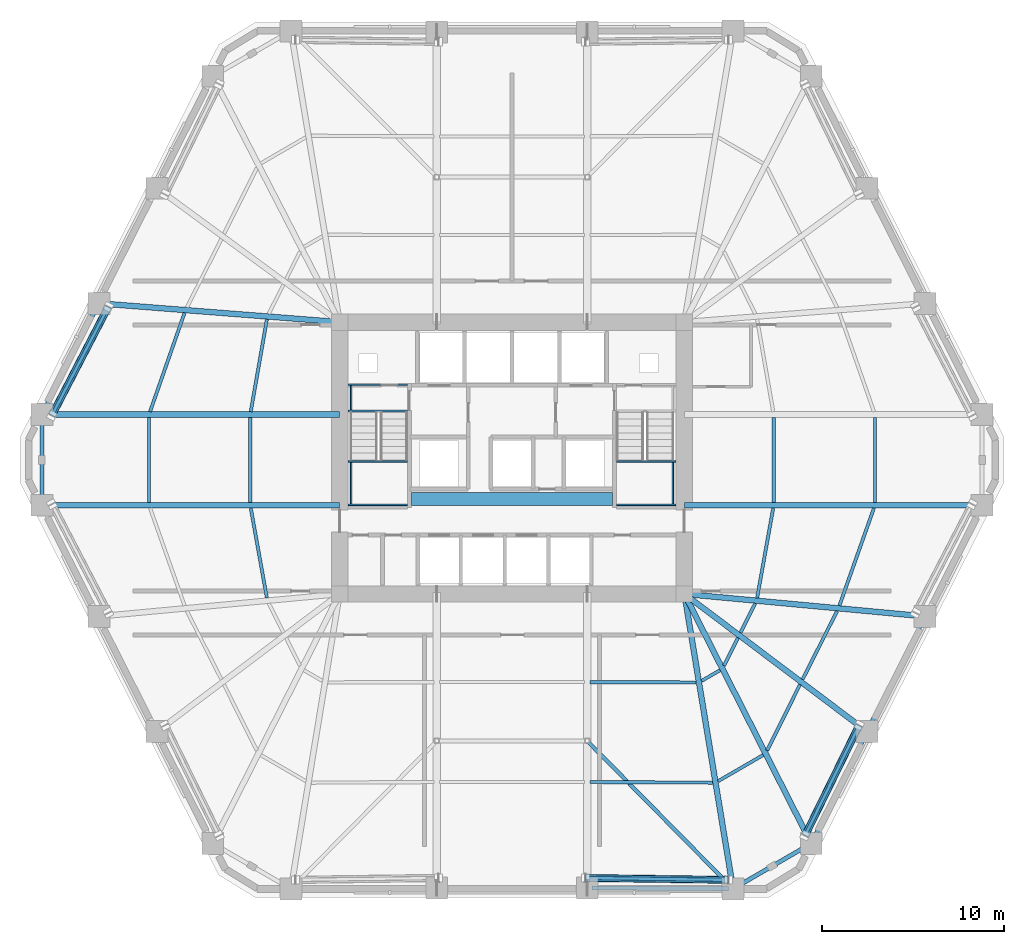
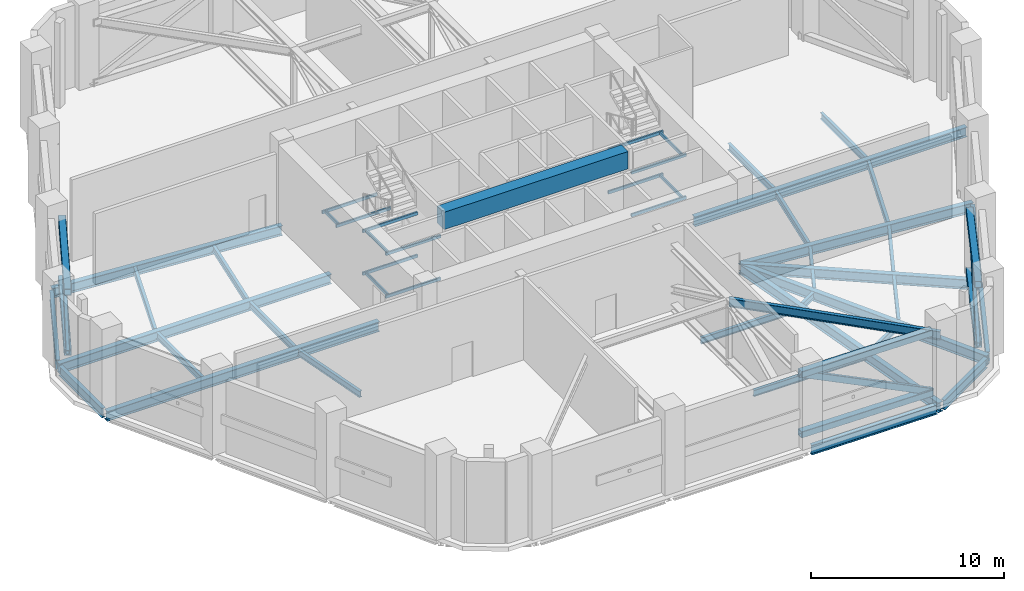
# One storey, part 3 of 19: 48 beams, 9 members.
"""IFC4 building model written with IfcOpenShell, lengths in metres."""

from ifc_helpers import new_model, si_unit, direction, frame, origin, origin_2d, place, context, subcontext, project, spatial, rectangle, hollow_rectangle, i_section, extrude, material, material_profile, profile_set, type_object, element, save


model = new_model("IFC4")

# Units and contexts
model_context = context("Model", 3, precision=1e-05, world=origin(), true_north=direction((0.0, 1.0)))
body_context = subcontext(model_context, "Body", "Model", "MODEL_VIEW")
ifc_project = project(units=[si_unit("LENGTHUNIT", "METRE"), si_unit("AREAUNIT", "SQUARE_METRE"), si_unit("VOLUMEUNIT", "CUBIC_METRE"), si_unit("PLANEANGLEUNIT", "RADIAN"), si_unit("MASSUNIT", "GRAM", prefix="KILO")], contexts=[model_context])

# Site, building, storey
site_placement = place(None, origin())
site = spatial("IfcSite", under=ifc_project, at=site_placement, CompositionType="ELEMENT")
building_placement = place(site_placement, origin())
building = spatial("IfcBuilding", under=site, at=building_placement, Name="Cinnabar Lancet Tower", CompositionType="ELEMENT")
storey_placement = place(building_placement, frame((0.0, 0.0, 74.60009765625)))
storey = spatial("IfcBuildingStorey", under=building, at=storey_placement, Name="L19", CompositionType="ELEMENT", Elevation=74.60009765625)

# Beams
ifc_material_1 = material(Name="Concrete C70/85", Category="concrete")
ifc_material_profile_1 = material_profile(ifc_material_1, rectangle(XDim=0.699951171875, YDim=1.10009765625, at=origin_2d()), Name="RC-CB 700x1100")
ifc_profile_set_1 = profile_set([ifc_material_profile_1], Name="Concrete C70/85")
beam_type_1 = type_object("IfcBeamType", Name="STR-BM-CB-1100", PredefinedType="BEAM", material=ifc_profile_set_1)
beam_1_placement = place(storey_placement, frame((26.8798828125, 23.64990234375, 4.6298828125), z_axis=(1.0, 0.0, 0.0), x_axis=(0.0, 1.0, 0.0)))
element("IfcBeam", 1, at=beam_1_placement, inside=storey, type_object=beam_type_1, Name="L19 Core Coupling Beam", PredefinedType="BEAM", context=body_context, shape_type="SweptSolid", body=[
    extrude(rectangle(XDim=0.699951171875, YDim=1.10009765625, at=origin_2d()), origin(), (0.0, 0.0, 1.0), 11.0400390625),
])
ifc_material_2 = material(Name="Structural steel S355", Category="steel")
ifc_material_profile_2 = material_profile(ifc_material_2, i_section(OverallWidth=0.177978515625, OverallDepth=0.406494140625, WebThickness=0.0078125, FlangeThickness=0.0126953125, FilletRadius=0.01025390625, at=origin_2d()), Name="UKB 406x178x60")
ifc_profile_set_2 = profile_set([ifc_material_profile_2], Name="Structural steel S355")
beam_type_2 = type_object("IfcBeamType", Name="STR-BM-JST-406", PredefinedType="JOIST", material=ifc_profile_set_2)
beam_2_placement = place(storey_placement, frame((18.08203125, 23.159912109375, -0.483154296875), z_axis=(0.176227857104, -0.984349400559, 0.0), x_axis=(0.984349400559, 0.176227857104, 0.0)))
element("IfcBeam", 2, at=beam_2_placement, inside=storey, type_object=beam_type_2, Name="L19 Secondary Floor Joist 2", PredefinedType="JOIST", context=body_context, shape_type="SweptSolid", body=[
    extrude(i_section(OverallWidth=0.177978515625, OverallDepth=0.406494140625, WebThickness=0.0078125, FlangeThickness=0.0126953125, FilletRadius=0.01025390625, at=origin_2d()), origin(), (0.0, 0.0, 1.0), 5.00537109375),
])
beam_3_placement = place(storey_placement, frame((36.676025390625, 8.139892578125, -0.483154296875), z_axis=(0.999988691118, -0.004755800274, 0.0), x_axis=(0.004755800274, 0.999988691118, 0.0)))
element("IfcBeam", 3, at=beam_3_placement, inside=storey, type_object=beam_type_2, Name="L19 Secondary Floor Joist 13", PredefinedType="JOIST", context=body_context, shape_type="SweptSolid", body=[
    extrude(i_section(OverallWidth=0.177978515625, OverallDepth=0.406494140625, WebThickness=0.0078125, FlangeThickness=0.0126953125, FilletRadius=0.01025390625, at=origin_2d()), origin(), (0.0, 0.0, 1.0), 6.724853515625),
])
beam_4_placement = place(storey_placement, frame((36.676025390625, 13.616943359375, -0.483154296875), z_axis=(0.999996723732, -0.002559790187, 0.0), x_axis=(0.002559790187, 0.999996723732, 0.0)))
element("IfcBeam", 4, at=beam_4_placement, inside=storey, type_object=beam_type_2, Name="L19 Secondary Floor Joist 14", PredefinedType="JOIST", context=body_context, shape_type="SweptSolid", body=[
    extrude(i_section(OverallWidth=0.177978515625, OverallDepth=0.406494140625, WebThickness=0.0078125, FlangeThickness=0.0126953125, FilletRadius=0.01025390625, at=origin_2d()), origin(), (0.0, 0.0, 1.0), 5.81787109375),
])
beam_5_placement = place(storey_placement, frame((43.698974609375, 8.18896484375, -0.483154296875), z_axis=(0.865076496111, 0.501639966387, 0.0), x_axis=(-0.501639966387, 0.865076496111, 0.0)))
element("IfcBeam", 5, at=beam_5_placement, inside=storey, type_object=beam_type_2, Name="L19 Secondary Floor Joist 15", PredefinedType="JOIST", context=body_context, shape_type="SweptSolid", body=[
    extrude(i_section(OverallWidth=0.177978515625, OverallDepth=0.406494140625, WebThickness=0.0078125, FlangeThickness=0.0126953125, FilletRadius=0.01025390625, at=origin_2d()), origin(), (0.0, 0.0, 1.0), 2.85302734375),
])
beam_6_placement = place(storey_placement, frame((42.7919921875, 13.68408203125, -0.483154296875), z_axis=(0.865192550274, 0.50143977799, 0.0), x_axis=(-0.50143977799, 0.865192550274, 0.0)))
element("IfcBeam", 6, at=beam_6_placement, inside=storey, type_object=beam_type_2, Name="L19 Secondary Floor Joist 16", PredefinedType="JOIST", context=body_context, shape_type="SweptSolid", body=[
    extrude(i_section(OverallWidth=0.177978515625, OverallDepth=0.406494140625, WebThickness=0.0078125, FlangeThickness=0.0126953125, FilletRadius=0.01025390625, at=origin_2d()), origin(), (0.0, 0.0, 1.0), 1.16845703125),
])
beam_7_placement = place(storey_placement, frame((46.385009765625, 9.867919921875, -0.483154296875), z_axis=(0.445835127839, 0.895115098065, 0.0), x_axis=(-0.895115098065, 0.445835127839, 0.0)))
element("IfcBeam", 7, at=beam_7_placement, inside=storey, type_object=beam_type_2, Name="L19 Secondary Floor Joist 17", PredefinedType="JOIST", context=body_context, shape_type="SweptSolid", body=[
    extrude(i_section(OverallWidth=0.177978515625, OverallDepth=0.406494140625, WebThickness=0.0078125, FlangeThickness=0.0126953125, FilletRadius=0.01025390625, at=origin_2d()), origin(), (0.0, 0.0, 1.0), 4.03955078125),
])
beam_8_placement = place(storey_placement, frame((44.02099609375, 14.51806640625, -0.483154296875), z_axis=(0.44578468599, 0.895140220154, 0.0), x_axis=(-0.895140220154, 0.44578468599, 0.0)))
element("IfcBeam", 8, at=beam_8_placement, inside=storey, type_object=beam_type_2, Name="L19 Secondary Floor Joist 18", PredefinedType="JOIST", context=body_context, shape_type="SweptSolid", body=[
    extrude(i_section(OverallWidth=0.177978515625, OverallDepth=0.406494140625, WebThickness=0.0078125, FlangeThickness=0.0126953125, FilletRadius=0.01025390625, at=origin_2d()), origin(), (0.0, 0.0, 1.0), 1.709228515625),
])
beam_9_placement = place(storey_placement, frame((48.325927734375, 13.762939453125, -0.483154296875), z_axis=(0.450717414682, 0.892666685893, 0.0), x_axis=(-0.892666685893, 0.450717414682, 0.0)))
element("IfcBeam", 9, at=beam_9_placement, inside=storey, type_object=beam_type_2, Name="L19 Secondary Floor Joist 19", PredefinedType="JOIST", context=body_context, shape_type="SweptSolid", body=[
    extrude(i_section(OverallWidth=0.177978515625, OverallDepth=0.406494140625, WebThickness=0.0078125, FlangeThickness=0.0126953125, FilletRadius=0.01025390625, at=origin_2d()), origin(), (0.0, 0.0, 1.0), 4.204345703125),
])
beam_10_placement = place(storey_placement, frame((44.923095703125, 16.326904296875, -0.483154296875), z_axis=(0.450411488104, 0.892821085875, 0.0), x_axis=(-0.892821085875, 0.450411488104, 0.0)))
element("IfcBeam", 10, at=beam_10_placement, inside=storey, type_object=beam_type_2, Name="L19 Secondary Floor Joist 20", PredefinedType="JOIST", context=body_context, shape_type="SweptSolid", body=[
    extrude(i_section(OverallWidth=0.177978515625, OverallDepth=0.406494140625, WebThickness=0.0078125, FlangeThickness=0.0126953125, FilletRadius=0.01025390625, at=origin_2d()), origin(), (0.0, 0.0, 1.0), 1.800048828125),
])
beam_11_placement = place(storey_placement, frame((50.347900390625, 17.81201171875, -0.483154296875), z_axis=(0.333387390151, 0.942789927867, 0.0), x_axis=(-0.942789927867, 0.333387390151, 0.0)))
element("IfcBeam", 11, at=beam_11_placement, inside=storey, type_object=beam_type_2, Name="L19 Secondary Floor Joist 21", PredefinedType="JOIST", context=body_context, shape_type="SweptSolid", body=[
    extrude(i_section(OverallWidth=0.177978515625, OverallDepth=0.406494140625, WebThickness=0.0078125, FlangeThickness=0.0126953125, FilletRadius=0.01025390625, at=origin_2d()), origin(), (0.0, 0.0, 1.0), 5.67236328125),
])
beam_12_placement = place(storey_placement, frame((45.8359375, 18.23291015625, -0.483154296875), z_axis=(0.176227857104, 0.984349400559, 0.0), x_axis=(-0.984349400559, 0.176227857104, 0.0)))
element("IfcBeam", 12, at=beam_12_placement, inside=storey, type_object=beam_type_2, Name="L19 Secondary Floor Joist 22", PredefinedType="JOIST", context=body_context, shape_type="SweptSolid", body=[
    extrude(i_section(OverallWidth=0.177978515625, OverallDepth=0.406494140625, WebThickness=0.0078125, FlangeThickness=0.0126953125, FilletRadius=0.01025390625, at=origin_2d()), origin(), (0.0, 0.0, 1.0), 5.00537109375),
])
for number, where, z_axis, x_axis, name in (
    (13, (52.2939453125, 23.468017578125, -0.483154296875), (0.0, 1.0, 0.0), (-1.0, 0.0, 0.0), "L19 Secondary Floor Joist 23"),
    (14, (46.7451171875, 23.468017578125, -0.483154296875), (0.0, 1.0, 0.0), (-1.0, 0.0, 0.0), "L19 Secondary Floor Joist 24"),
):
    element("IfcBeam", number, at=place(storey_placement, frame(where, z_axis=z_axis, x_axis=x_axis)), inside=storey, type_object=beam_type_2, Name=name, PredefinedType="JOIST", context=body_context, shape_type="SweptSolid", body=[
        extrude(i_section(OverallWidth=0.177978515625, OverallDepth=0.406494140625, WebThickness=0.0078125, FlangeThickness=0.0126953125, FilletRadius=0.01025390625, at=origin_2d()), origin(), (0.0, 0.0, 1.0), 4.6640625),
    ])
beam_13_placement = place(storey_placement, frame((14.451904296875, 33.85888671875, -0.483154296875), z_axis=(-0.329607609001, -0.944118013857, 0.0), x_axis=(0.944118013857, -0.329607609001, 0.0)))
element("IfcBeam", 15, at=beam_13_placement, inside=storey, type_object=beam_type_2, Name="L19 Secondary Floor Joist 45", PredefinedType="JOIST", context=body_context, shape_type="SweptSolid", body=[
    extrude(i_section(OverallWidth=0.177978515625, OverallDepth=0.406494140625, WebThickness=0.0078125, FlangeThickness=0.0126953125, FilletRadius=0.01025390625, at=origin_2d()), origin(), (0.0, 0.0, 1.0), 5.73974609375),
])
beam_14_placement = place(storey_placement, frame((18.965087890625, 33.507080078125, -0.483154296875), z_axis=(-0.171867959611, -0.985119994954, 0.0), x_axis=(0.985119994954, -0.171867959611, 0.0)))
element("IfcBeam", 16, at=beam_14_placement, inside=storey, type_object=beam_type_2, Name="L19 Secondary Floor Joist 46", PredefinedType="JOIST", context=body_context, shape_type="SweptSolid", body=[
    extrude(i_section(OverallWidth=0.177978515625, OverallDepth=0.406494140625, WebThickness=0.0078125, FlangeThickness=0.0126953125, FilletRadius=0.01025390625, at=origin_2d()), origin(), (0.0, 0.0, 1.0), 5.1435546875),
])
for number, where, z_axis, x_axis, name in (
    (17, (12.506103515625, 28.132080078125, -0.483154296875), (0.0, -1.0, 0.0), (1.0, 0.0, 0.0), "L19 Secondary Floor Joist 47"),
    (18, (18.054931640625, 28.132080078125, -0.483154296875), (0.0, -1.0, 0.0), (1.0, 0.0, 0.0), "L19 Secondary Floor Joist 48"),
):
    element("IfcBeam", number, at=place(storey_placement, frame(where, z_axis=z_axis, x_axis=x_axis)), inside=storey, type_object=beam_type_2, Name=name, PredefinedType="JOIST", context=body_context, shape_type="SweptSolid", body=[
        extrude(i_section(OverallWidth=0.177978515625, OverallDepth=0.406494140625, WebThickness=0.0078125, FlangeThickness=0.0126953125, FilletRadius=0.01025390625, at=origin_2d()), origin(), (0.0, 0.0, 1.0), 4.6640625),
    ])
ifc_material_3 = material(Name="Structural steel S355", Category="steel")
ifc_material_profile_3 = material_profile(ifc_material_3, hollow_rectangle(XDim=0.10009765625, YDim=0.199951171875, WallThickness=0.008056640625, InnerFilletRadius=0.00390625, OuterFilletRadius=0.011962890625, at=origin_2d()), Name="RHS 200x100x8")
ifc_profile_set_3 = profile_set([ifc_material_profile_3], Name="Structural steel S355")
beam_type_3 = type_object("IfcBeamType", Name="STR-BM-LND-203", PredefinedType="BEAM", material=ifc_profile_set_3)
for number, where, z_axis, x_axis, name in (
    (19, (23.39990234375, 23.330078125, 1.0498046875), (1.0, 0.0, 0.0), (0.0, 1.0, 0.0), "L19 ST-1-L19 Landing Support Beam S"),
    (20, (23.39990234375, 25.719970703125, 1.0498046875), (1.0, 0.0, 0.0), (0.0, 1.0, 0.0), "L19 ST-1-L19 Landing Support Beam N"),
):
    element("IfcBeam", number, at=place(storey_placement, frame(where, z_axis=z_axis, x_axis=x_axis)), inside=storey, type_object=beam_type_3, Name=name, PredefinedType="BEAM", context=body_context, shape_type="SweptSolid", body=[
        extrude(hollow_rectangle(XDim=0.10009765625, YDim=0.199951171875, WallThickness=0.008056640625, InnerFilletRadius=0.00390625, OuterFilletRadius=0.011962890625, at=origin_2d()), origin(), (0.0, 0.0, 1.0), 3.280029296875),
    ])
beam_15_placement = place(storey_placement, frame((23.580078125, 23.3798828125, 1.0498046875), z_axis=(0.0, 1.0, 0.0), x_axis=(-1.0, 0.0, 0.0)))
element("IfcBeam", 21, at=beam_15_placement, inside=storey, type_object=beam_type_3, Name="L19 ST-1-L19 Landing Side Trimmer Beam", PredefinedType="BEAM", context=body_context, shape_type="SweptSolid", body=[
    extrude(hollow_rectangle(XDim=0.10009765625, YDim=0.199951171875, WallThickness=0.008056640625, InnerFilletRadius=0.00390625, OuterFilletRadius=0.011962890625, at=origin_2d()), origin(), (0.0, 0.0, 1.0), 2.2900390625),
])
for number, where, z_axis, x_axis, name in (
    (22, (23.39990234375, 28.47998046875, 2.39990234375), (1.0, 0.0, 0.0), (0.0, 1.0, 0.0), "L19 ST-1-L19 Landing Support Beam S"),
    (23, (23.39990234375, 29.919921875, 2.39990234375), (1.0, 0.0, 0.0), (0.0, 1.0, 0.0), "L19 ST-1-L19 Landing Support Beam N"),
):
    element("IfcBeam", number, at=place(storey_placement, frame(where, z_axis=z_axis, x_axis=x_axis)), inside=storey, type_object=beam_type_3, Name=name, PredefinedType="BEAM", context=body_context, shape_type="SweptSolid", body=[
        extrude(hollow_rectangle(XDim=0.10009765625, YDim=0.199951171875, WallThickness=0.008056640625, InnerFilletRadius=0.00390625, OuterFilletRadius=0.011962890625, at=origin_2d()), origin(), (0.0, 0.0, 1.0), 3.280029296875),
    ])
beam_16_placement = place(storey_placement, frame((23.580078125, 28.530029296875, 2.39990234375), z_axis=(0.0, 1.0, 0.0), x_axis=(-1.0, 0.0, 0.0)))
element("IfcBeam", 24, at=beam_16_placement, inside=storey, type_object=beam_type_3, Name="L19 ST-1-L19 Landing Side Trimmer Beam", PredefinedType="BEAM", context=body_context, shape_type="SweptSolid", body=[
    extrude(hollow_rectangle(XDim=0.10009765625, YDim=0.199951171875, WallThickness=0.008056640625, InnerFilletRadius=0.00390625, OuterFilletRadius=0.011962890625, at=origin_2d()), origin(), (0.0, 0.0, 1.0), 1.340087890625),
])
for number, where, z_axis, x_axis, name in (
    (25, (23.39990234375, 23.330078125, 3.75), (1.0, 0.0, 0.0), (0.0, 1.0, 0.0), "L19 ST-1-L19 Landing Support Beam S"),
    (26, (23.39990234375, 25.719970703125, 3.75), (1.0, 0.0, 0.0), (0.0, 1.0, 0.0), "L19 ST-1-L19 Landing Support Beam N"),
):
    element("IfcBeam", number, at=place(storey_placement, frame(where, z_axis=z_axis, x_axis=x_axis)), inside=storey, type_object=beam_type_3, Name=name, PredefinedType="BEAM", context=body_context, shape_type="SweptSolid", body=[
        extrude(hollow_rectangle(XDim=0.10009765625, YDim=0.199951171875, WallThickness=0.008056640625, InnerFilletRadius=0.00390625, OuterFilletRadius=0.011962890625, at=origin_2d()), origin(), (0.0, 0.0, 1.0), 3.280029296875),
    ])
beam_17_placement = place(storey_placement, frame((23.580078125, 23.3798828125, 3.75), z_axis=(0.0, 1.0, 0.0), x_axis=(-1.0, 0.0, 0.0)))
element("IfcBeam", 27, at=beam_17_placement, inside=storey, type_object=beam_type_3, Name="L19 ST-1-L19 Landing Side Trimmer Beam", PredefinedType="BEAM", context=body_context, shape_type="SweptSolid", body=[
    extrude(hollow_rectangle(XDim=0.10009765625, YDim=0.199951171875, WallThickness=0.008056640625, InnerFilletRadius=0.00390625, OuterFilletRadius=0.011962890625, at=origin_2d()), origin(), (0.0, 0.0, 1.0), 2.2900390625),
])
for number, where, z_axis, x_axis, name in (
    (28, (38.1201171875, 23.330078125, 1.0498046875), (1.0, 0.0, 0.0), (0.0, 1.0, 0.0), "L19 ST-2-L19 Landing Support Beam S"),
    (29, (38.1201171875, 25.719970703125, 1.0498046875), (1.0, 0.0, 0.0), (0.0, 1.0, 0.0), "L19 ST-2-L19 Landing Support Beam N"),
):
    element("IfcBeam", number, at=place(storey_placement, frame(where, z_axis=z_axis, x_axis=x_axis)), inside=storey, type_object=beam_type_3, Name=name, PredefinedType="BEAM", context=body_context, shape_type="SweptSolid", body=[
        extrude(hollow_rectangle(XDim=0.10009765625, YDim=0.199951171875, WallThickness=0.008056640625, InnerFilletRadius=0.00390625, OuterFilletRadius=0.011962890625, at=origin_2d()), origin(), (0.0, 0.0, 1.0), 3.27978515625),
    ])
beam_18_placement = place(storey_placement, frame((41.219970703125, 23.3798828125, 1.0498046875), z_axis=(0.0, 1.0, 0.0), x_axis=(-1.0, 0.0, 0.0)))
element("IfcBeam", 30, at=beam_18_placement, inside=storey, type_object=beam_type_3, Name="L19 ST-2-L19 Landing Side Trimmer Beam", PredefinedType="BEAM", context=body_context, shape_type="SweptSolid", body=[
    extrude(hollow_rectangle(XDim=0.10009765625, YDim=0.199951171875, WallThickness=0.008056640625, InnerFilletRadius=0.00390625, OuterFilletRadius=0.011962890625, at=origin_2d()), origin(), (0.0, 0.0, 1.0), 2.2900390625),
])
for number, where, z_axis, x_axis, name in (
    (31, (38.1201171875, 23.330078125, 3.75), (1.0, 0.0, 0.0), (0.0, 1.0, 0.0), "L19 ST-2-L19 Landing Support Beam S"),
    (32, (38.1201171875, 25.719970703125, 3.75), (1.0, 0.0, 0.0), (0.0, 1.0, 0.0), "L19 ST-2-L19 Landing Support Beam N"),
):
    element("IfcBeam", number, at=place(storey_placement, frame(where, z_axis=z_axis, x_axis=x_axis)), inside=storey, type_object=beam_type_3, Name=name, PredefinedType="BEAM", context=body_context, shape_type="SweptSolid", body=[
        extrude(hollow_rectangle(XDim=0.10009765625, YDim=0.199951171875, WallThickness=0.008056640625, InnerFilletRadius=0.00390625, OuterFilletRadius=0.011962890625, at=origin_2d()), origin(), (0.0, 0.0, 1.0), 3.27978515625),
    ])
beam_19_placement = place(storey_placement, frame((41.219970703125, 23.3798828125, 3.75), z_axis=(0.0, 1.0, 0.0), x_axis=(-1.0, 0.0, 0.0)))
element("IfcBeam", 33, at=beam_19_placement, inside=storey, type_object=beam_type_3, Name="L19 ST-2-L19 Landing Side Trimmer Beam", PredefinedType="BEAM", context=body_context, shape_type="SweptSolid", body=[
    extrude(hollow_rectangle(XDim=0.10009765625, YDim=0.199951171875, WallThickness=0.008056640625, InnerFilletRadius=0.00390625, OuterFilletRadius=0.011962890625, at=origin_2d()), origin(), (0.0, 0.0, 1.0), 2.2900390625),
])
ifc_material_4 = material(Name="Structural steel S355", Category="steel")
ifc_material_profile_4 = material_profile(ifc_material_4, i_section(OverallWidth=0.228271484375, OverallDepth=0.607666015625, WebThickness=0.010986328125, FlangeThickness=0.017333984375, FilletRadius=0.0126953125, at=origin_2d()), Name="UKB 610x229x113")
ifc_profile_set_4 = profile_set([ifc_material_profile_4], Name="Structural steel S355")
beam_type_4 = type_object("IfcBeamType", Name="STR-BM-SPN-610", PredefinedType="SPANDREL", material=ifc_profile_set_4)
beam_20_placement = place(storey_placement, frame((36.77197265625, 2.340087890625, -0.583984375), z_axis=(0.99997856757, -0.006547090947, 0.0), x_axis=(0.006547090947, 0.99997856757, 0.0)))
element("IfcBeam", 34, at=beam_20_placement, inside=storey, type_object=beam_type_4, Name="L19 Perimeter Spandrel 3", PredefinedType="SPANDREL", context=body_context, shape_type="SweptSolid", body=[
    extrude(i_section(OverallWidth=0.228271484375, OverallDepth=0.607666015625, WebThickness=0.010986328125, FlangeThickness=0.017333984375, FilletRadius=0.0126953125, at=origin_2d()), origin(), (0.0, 0.0, 1.0), 7.495361328125),
])
beam_21_placement = place(storey_placement, frame((44.73291015625, 2.4140625, -0.583984375), z_axis=(0.865171017323, 0.501476929463, 0.0), x_axis=(-0.501476929463, 0.865171017323, 0.0)))
element("IfcBeam", 35, at=beam_21_placement, inside=storey, type_object=beam_type_4, Name="L19 Perimeter Spandrel 4", PredefinedType="SPANDREL", context=body_context, shape_type="SweptSolid", body=[
    extrude(i_section(OverallWidth=0.228271484375, OverallDepth=0.607666015625, WebThickness=0.010986328125, FlangeThickness=0.017333984375, FilletRadius=0.0126953125, at=origin_2d()), origin(), (0.0, 0.0, 1.0), 4.45458984375),
])
beam_22_placement = place(storey_placement, frame((48.9140625, 4.9970703125, -0.583984375), z_axis=(0.445953050023, 0.89505635419, 0.0), x_axis=(-0.89505635419, 0.445953050023, 0.0)))
element("IfcBeam", 36, at=beam_22_placement, inside=storey, type_object=beam_type_4, Name="L19 Perimeter Spandrel 5", PredefinedType="SPANDREL", context=body_context, shape_type="SweptSolid", body=[
    extrude(i_section(OverallWidth=0.228271484375, OverallDepth=0.607666015625, WebThickness=0.010986328125, FlangeThickness=0.017333984375, FilletRadius=0.0126953125, at=origin_2d()), origin(), (0.0, 0.0, 1.0), 6.35498046875),
])
beam_23_placement = place(storey_placement, frame((51.971923828125, 11.132080078125, -0.583984375), z_axis=(0.450703143926, 0.892673891214, 0.0), x_axis=(-0.892673891214, 0.450703143926, 0.0)))
element("IfcBeam", 37, at=beam_23_placement, inside=storey, type_object=beam_type_4, Name="L19 Perimeter Spandrel 6", PredefinedType="SPANDREL", context=body_context, shape_type="SweptSolid", body=[
    extrude(i_section(OverallWidth=0.228271484375, OverallDepth=0.607666015625, WebThickness=0.010986328125, FlangeThickness=0.017333984375, FilletRadius=0.0126953125, at=origin_2d()), origin(), (0.0, 0.0, 1.0), 6.570068359375),
])
beam_24_placement = place(storey_placement, frame((9.639892578125, 34.156982421875, -0.583984375), z_axis=(-0.455994051912, -0.889982822655, 0.0), x_axis=(0.889982822655, -0.455994051912, 0.0)))
element("IfcBeam", 38, at=beam_24_placement, inside=storey, type_object=beam_type_4, Name="L19 Perimeter Spandrel 19", PredefinedType="SPANDREL", context=body_context, shape_type="SweptSolid", body=[
    extrude(i_section(OverallWidth=0.228271484375, OverallDepth=0.607666015625, WebThickness=0.010986328125, FlangeThickness=0.017333984375, FilletRadius=0.0126953125, at=origin_2d()), origin(), (0.0, 0.0, 1.0), 6.34619140625),
])
beam_25_placement = place(storey_placement, frame((6.632080078125, 28.035888671875, -0.583984375), z_axis=(0.0, -1.0, 0.0), x_axis=(1.0, 0.0, 0.0)))
element("IfcBeam", 39, at=beam_25_placement, inside=storey, type_object=beam_type_4, Name="L19 Perimeter Spandrel 20", PredefinedType="SPANDREL", context=body_context, shape_type="SweptSolid", body=[
    extrude(i_section(OverallWidth=0.228271484375, OverallDepth=0.607666015625, WebThickness=0.010986328125, FlangeThickness=0.017333984375, FilletRadius=0.0126953125, at=origin_2d()), origin(), (0.0, 0.0, 1.0), 4.471923828125),
])
ifc_material_5 = material(Name="Structural steel S355", Category="steel")
ifc_material_profile_5 = material_profile(ifc_material_5, i_section(OverallWidth=0.209228515625, OverallDepth=0.533203125, WebThickness=0.010009765625, FlangeThickness=0.015625, FilletRadius=0.0126953125, at=origin_2d()), Name="UKB 533x210x92")
ifc_profile_set_5 = profile_set([ifc_material_profile_5], Name="Structural steel S355")
beam_type_5 = type_object("IfcBeamType", Name="STR-BM-UKB533-92", PredefinedType="BEAM", material=ifc_profile_set_5)
beam_26_placement = place(storey_placement, frame((36.52197265625, 10.39599609375, 3.98291015625), z_axis=(0.702179536153, -0.711999929079, 0.0), x_axis=(0.711999929079, 0.702179536153, 0.0)))
element("IfcBeam", 40, at=beam_26_placement, inside=storey, type_object=beam_type_5, Name="L19 Outrigger S Tie Beam 3", PredefinedType="BEAM", context=body_context, shape_type="SweptSolid", body=[
    extrude(i_section(OverallWidth=0.209228515625, OverallDepth=0.533203125, WebThickness=0.010009765625, FlangeThickness=0.015625, FilletRadius=0.0126953125, at=origin_2d()), origin(), (0.0, 0.0, 1.0), 11.38623046875),
])
ifc_material_6 = material(Name="Structural steel S355", Category="steel")
ifc_material_profile_6 = material_profile(ifc_material_6, i_section(OverallWidth=0.30712890625, OverallDepth=0.6201171875, WebThickness=0.01416015625, FlangeThickness=0.023681640625, FilletRadius=0.0166015625, at=origin_2d()), Name="UKB 610x305x179")
ifc_profile_set_6 = profile_set([ifc_material_profile_6], Name="Structural steel S355")
beam_type_6 = type_object("IfcBeamType", Name="STR-BM-UKB610-179", PredefinedType="BEAM", material=ifc_profile_set_6)
beam_27_placement = place(storey_placement, frame((51.85888671875, 10.908935546875, -0.590087890625), z_axis=(-0.798679534026, 0.601756596912, 0.0), x_axis=(-0.601756596912, -0.798679534026, 0.0)))
element("IfcBeam", 41, at=beam_27_placement, inside=storey, type_object=beam_type_6, Name="L19 Corner Collector Girder 2", PredefinedType="BEAM", context=body_context, shape_type="SweptSolid", body=[
    extrude(i_section(OverallWidth=0.30712890625, OverallDepth=0.6201171875, WebThickness=0.01416015625, FlangeThickness=0.023681640625, FilletRadius=0.0166015625, at=origin_2d()), origin(), (0.0, 0.0, 1.0), 12.53173828125),
])
beam_28_placement = place(storey_placement, frame((44.51708984375, 2.2890625, -0.590087890625), z_axis=(-0.162825264118, 0.986654921117, 0.0), x_axis=(-0.986654921117, -0.162825264118, 0.0)))
element("IfcBeam", 42, at=beam_28_placement, inside=storey, type_object=beam_type_6, Name="L19 Primary Floor Girder 4", PredefinedType="BEAM", context=body_context, shape_type="SweptSolid", body=[
    extrude(i_section(OverallWidth=0.30712890625, OverallDepth=0.6201171875, WebThickness=0.01416015625, FlangeThickness=0.023681640625, FilletRadius=0.0166015625, at=origin_2d()), origin(), (0.0, 0.0, 1.0), 16.37939453125),
])
beam_29_placement = place(storey_placement, frame((48.802978515625, 4.77294921875, -0.590087890625), z_axis=(-0.453167599586, 0.89142533433, 0.0), x_axis=(-0.89142533433, -0.453167599586, 0.0)))
element("IfcBeam", 43, at=beam_29_placement, inside=storey, type_object=beam_type_6, Name="L19 Primary Floor Girder 5", PredefinedType="BEAM", context=body_context, shape_type="SweptSolid", body=[
    extrude(i_section(OverallWidth=0.30712890625, OverallDepth=0.6201171875, WebThickness=0.01416015625, FlangeThickness=0.023681640625, FilletRadius=0.0166015625, at=origin_2d()), origin(), (0.0, 0.0, 1.0), 15.3427734375),
])
beam_30_placement = place(storey_placement, frame((55.0458984375, 17.219970703125, -0.590087890625), z_axis=(-0.99568405159, 0.092807701238, 0.0), x_axis=(-0.092807701238, -0.99568405159, 0.0)))
element("IfcBeam", 44, at=beam_30_placement, inside=storey, type_object=beam_type_6, Name="L19 Primary Floor Girder 7", PredefinedType="BEAM", context=body_context, shape_type="SweptSolid", body=[
    extrude(i_section(OverallWidth=0.30712890625, OverallDepth=0.6201171875, WebThickness=0.01416015625, FlangeThickness=0.023681640625, FilletRadius=0.0166015625, at=origin_2d()), origin(), (0.0, 0.0, 1.0), 13.2529296875),
])
beam_31_placement = place(storey_placement, frame((58.16796875, 23.31396484375, -0.590087890625), z_axis=(-1.0, 0.0, 0.0), x_axis=(0.0, -1.0, 0.0)))
element("IfcBeam", 45, at=beam_31_placement, inside=storey, type_object=beam_type_6, Name="L19 Primary Floor Girder 8", PredefinedType="BEAM", context=body_context, shape_type="SweptSolid", body=[
    extrude(i_section(OverallWidth=0.30712890625, OverallDepth=0.6201171875, WebThickness=0.01416015625, FlangeThickness=0.023681640625, FilletRadius=0.0166015625, at=origin_2d()), origin(), (0.0, 0.0, 1.0), 16.31787109375),
])
beam_32_placement = place(storey_placement, frame((9.75390625, 34.3798828125, -0.590087890625), z_axis=(0.99696891848, -0.077800871365, 0.0), x_axis=(0.077800871365, 0.99696891848, 0.0)))
element("IfcBeam", 46, at=beam_32_placement, inside=storey, type_object=beam_type_6, Name="L19 Primary Floor Girder 19", PredefinedType="BEAM", context=body_context, shape_type="SweptSolid", body=[
    extrude(i_section(OverallWidth=0.30712890625, OverallDepth=0.6201171875, WebThickness=0.01416015625, FlangeThickness=0.023681640625, FilletRadius=0.0166015625, at=origin_2d()), origin(), (0.0, 0.0, 1.0), 13.236083984375),
])
for number, where, z_axis, x_axis, name in (
    (47, (6.632080078125, 28.285888671875, -0.590087890625), (1.0, 0.0, 0.0), (0.0, 1.0, 0.0), "L19 Primary Floor Girder 20"),
    (48, (6.632080078125, 23.31396484375, -0.590087890625), (1.0, 0.0, 0.0), (0.0, 1.0, 0.0), "L19 Primary Floor Girder 21"),
):
    element("IfcBeam", number, at=place(storey_placement, frame(where, z_axis=z_axis, x_axis=x_axis)), inside=storey, type_object=beam_type_6, Name=name, PredefinedType="BEAM", context=body_context, shape_type="SweptSolid", body=[
        extrude(i_section(OverallWidth=0.30712890625, OverallDepth=0.6201171875, WebThickness=0.01416015625, FlangeThickness=0.023681640625, FilletRadius=0.0166015625, at=origin_2d()), origin(), (0.0, 0.0, 1.0), 16.31787109375),
    ])

# Members
ifc_material_7 = material(Name="Structural steel S460", Category="steel")
ifc_material_profile_7 = material_profile(ifc_material_7, hollow_rectangle(XDim=0.199951171875, YDim=0.39990234375, WallThickness=0.01611328125, InnerFilletRadius=0.008056640625, OuterFilletRadius=0.02392578125, at=origin_2d()), Name="RHS 400x200x16")
ifc_profile_set_7 = profile_set([ifc_material_profile_7], Name="Structural steel S460")
member_type_1 = type_object("IfcMemberType", Name="STR-MEM-BT-BRC400", PredefinedType="BRACE", material=ifc_profile_set_7)
member_1_placement = place(storey_placement, frame((36.427001953125, 2.884033203125, 4.02978515625), z_axis=(0.899313624919, -0.012157429392, -0.437135220436), x_axis=(0.013517329565, 0.999908636727, 0.0)))
element("IfcMember", 49, at=member_1_placement, inside=storey, type_object=member_type_1, Name="L19 Belt Truss Face 1 Diagonal", PredefinedType="BRACE", context=body_context, shape_type="SweptSolid", body=[
    extrude(hollow_rectangle(XDim=0.199951171875, YDim=0.39990234375, WallThickness=0.01611328125, InnerFilletRadius=0.008056640625, OuterFilletRadius=0.02392578125, at=origin_2d()), origin(), (0.0, 0.0, 1.0), 8.71533203125),
])
member_2_placement = place(storey_placement, frame((48.465087890625, 5.20703125, 0.219970703125), z_axis=(0.382738966596, 0.781246323576, 0.493117699284), x_axis=(-0.898022879145, 0.439948756712, 0.0)))
element("IfcMember", 50, at=member_2_placement, inside=storey, type_object=member_type_1, Name="L19 Belt Truss Face 2 Diagonal", PredefinedType="BRACE", context=body_context, shape_type="SweptSolid", body=[
    extrude(hollow_rectangle(XDim=0.199951171875, YDim=0.39990234375, WallThickness=0.01611328125, InnerFilletRadius=0.008056640625, OuterFilletRadius=0.02392578125, at=origin_2d()), origin(), (0.0, 0.0, 1.0), 7.72607421875),
])
member_3_placement = place(storey_placement, frame((10.26806640625, 34.18505859375, 4.02978515625), z_axis=(-0.400523950493, -0.771735866042, -0.493967932305), x_axis=(0.887583104975, -0.460647622118, 0.0)))
element("IfcMember", 51, at=member_3_placement, inside=storey, type_object=member_type_1, Name="L19 Belt Truss Face 5 Diagonal", PredefinedType="BRACE", context=body_context, shape_type="SweptSolid", body=[
    extrude(hollow_rectangle(XDim=0.199951171875, YDim=0.39990234375, WallThickness=0.01611328125, InnerFilletRadius=0.008056640625, OuterFilletRadius=0.02392578125, at=origin_2d()), origin(), (0.0, 0.0, 1.0), 7.712646484375),
])
ifc_material_8 = material(Name="Structural steel S460", Category="steel")
ifc_material_profile_8 = material_profile(ifc_material_8, hollow_rectangle(XDim=0.39990234375, YDim=0.39990234375, WallThickness=0.02001953125, InnerFilletRadius=0.010009765625, OuterFilletRadius=0.030029296875, at=origin_2d()), Name="SHS 400x400x20")
ifc_profile_set_8 = profile_set([ifc_material_profile_8], Name="Structural steel S460")
member_type_2 = type_object("IfcMemberType", Name="STR-MEM-BT-CHD400", PredefinedType="CHORD", material=ifc_profile_set_8)
for number, where, z_axis, x_axis, name in (
    (52, (36.427001953125, 2.884033203125, 0.219970703125), (0.999908636727, -0.013517329565, 0.0), (0.013517329565, 0.999908636727, 0.0), "L19 Belt Truss Face 1 Chord BC"),
    (53, (36.427001953125, 2.884033203125, 4.02978515625), (0.999908636727, -0.013517329565, 0.0), (0.013517329565, 0.999908636727, 0.0), "L19 Belt Truss Face 1 Chord TC"),
):
    element("IfcMember", number, at=place(storey_placement, frame(where, z_axis=z_axis, x_axis=x_axis)), inside=storey, type_object=member_type_2, Name=name, PredefinedType="CHORD", context=body_context, shape_type="SweptSolid", body=[
        extrude(hollow_rectangle(XDim=0.39990234375, YDim=0.39990234375, WallThickness=0.02001953125, InnerFilletRadius=0.010009765625, OuterFilletRadius=0.030029296875, at=origin_2d()), origin(), (0.0, 0.0, 1.0), 7.838623046875),
    ])
for number, where, z_axis, x_axis, name in (
    (54, (48.465087890625, 5.20703125, 0.219970703125), (0.439948756712, 0.898022879145, 0.0), (-0.898022879145, 0.439948756712, 0.0), "L19 Belt Truss Face 2 Chord BC"),
    (55, (48.465087890625, 5.20703125, 4.02978515625), (0.439948756712, 0.898022879145, 0.0), (-0.898022879145, 0.439948756712, 0.0), "L19 Belt Truss Face 2 Chord TC"),
):
    element("IfcMember", number, at=place(storey_placement, frame(where, z_axis=z_axis, x_axis=x_axis)), inside=storey, type_object=member_type_2, Name=name, PredefinedType="CHORD", context=body_context, shape_type="SweptSolid", body=[
        extrude(hollow_rectangle(XDim=0.39990234375, YDim=0.39990234375, WallThickness=0.02001953125, InnerFilletRadius=0.010009765625, OuterFilletRadius=0.030029296875, at=origin_2d()), origin(), (0.0, 0.0, 1.0), 6.72119140625),
    ])
for number, where, z_axis, x_axis, name in (
    (56, (10.26806640625, 34.18505859375, 0.219970703125), (-0.460647622118, -0.887583104975, 0.0), (0.887583104975, -0.460647622118, 0.0), "L19 Belt Truss Face 5 Chord BC"),
    (57, (10.26806640625, 34.18505859375, 4.02978515625), (-0.460647622118, -0.887583104975, 0.0), (0.887583104975, -0.460647622118, 0.0), "L19 Belt Truss Face 5 Chord TC"),
):
    element("IfcMember", number, at=place(storey_placement, frame(where, z_axis=z_axis, x_axis=x_axis)), inside=storey, type_object=member_type_2, Name=name, PredefinedType="CHORD", context=body_context, shape_type="SweptSolid", body=[
        extrude(hollow_rectangle(XDim=0.39990234375, YDim=0.39990234375, WallThickness=0.02001953125, InnerFilletRadius=0.010009765625, OuterFilletRadius=0.030029296875, at=origin_2d()), origin(), (0.0, 0.0, 1.0), 6.7060546875),
    ])

save(model, "model.ifc")
